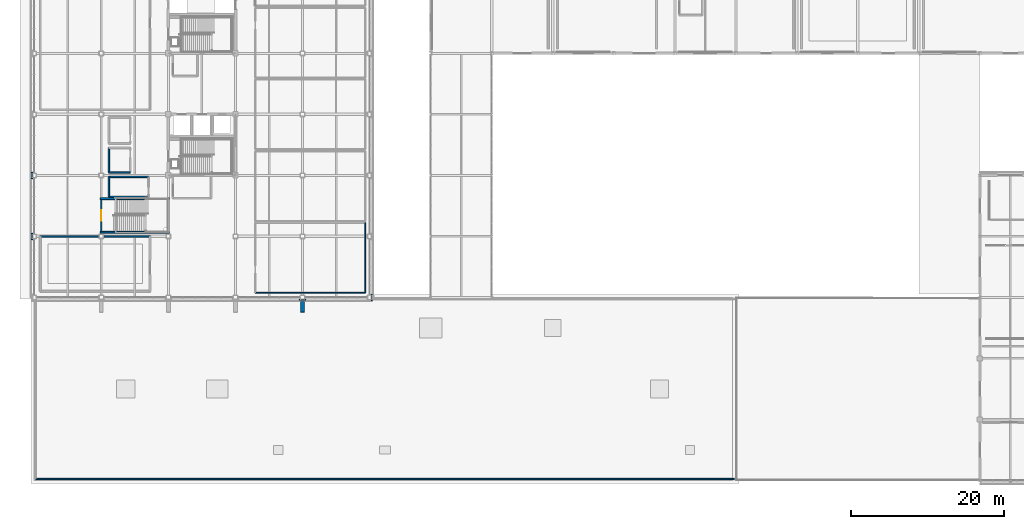
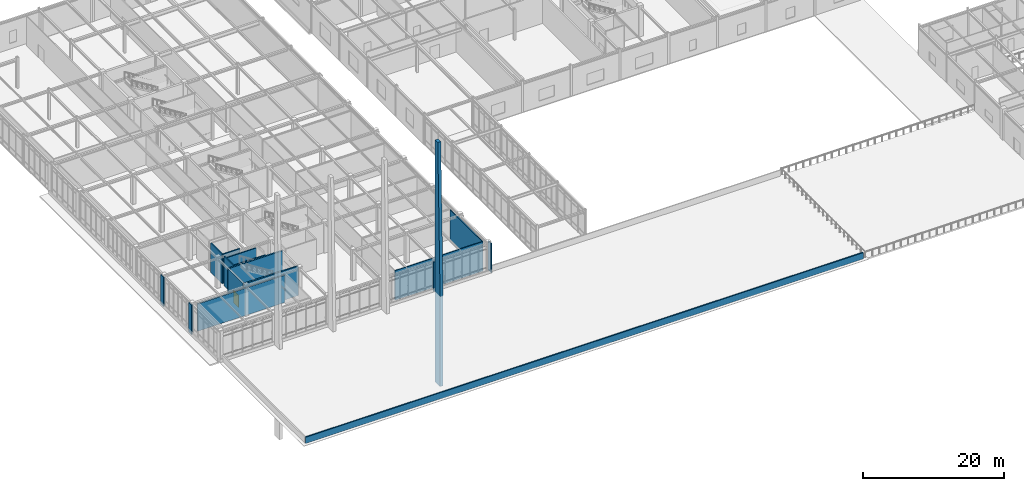
# One storey, part 86 of 108: 17 walls, 1 door, 1 opening.
"""IFC4 building model written with IfcOpenShell, lengths in metres."""

from ifc_helpers import new_model, si_unit, direction, frame, frame_2d, origin, place, context, subcontext, project, spatial, polyline, rectangle, outline, extrude, material, layer, layer_set, type_object, element, fill, save


model = new_model("IFC4")

# Units and contexts
model_context = context("Model", 3, precision=1e-05, world=origin(), true_north=direction((0.0, 1.0)))
body_context = subcontext(model_context, "Body", "Model", "MODEL_VIEW")
ifc_project = project(units=[si_unit("LENGTHUNIT", "METRE"), si_unit("AREAUNIT", "SQUARE_METRE"), si_unit("VOLUMEUNIT", "CUBIC_METRE"), si_unit("PLANEANGLEUNIT", "RADIAN"), si_unit("MASSUNIT", "GRAM", prefix="KILO")], contexts=[model_context])

# Site, building, storey
site_placement = place(None, origin())
site = spatial("IfcSite", under=ifc_project, at=site_placement, CompositionType="ELEMENT")
building_placement = place(site_placement, origin())
building = spatial("IfcBuilding", under=site, at=building_placement, Name="Zhaolan Boulevard Law Courts", CompositionType="ELEMENT")
storey_placement = place(building_placement, frame((0.0, 0.0, 10.800048828125)))
storey = spatial("IfcBuildingStorey", under=building, at=storey_placement, Name="L02", CompositionType="ELEMENT", Elevation=10.800048828125)

# Walls
ifc_material_1 = material(Name="Concrete C40", Category="concrete")
ifc_layer_1 = layer(ifc_material_1, 0.139892578125)
ifc_layer_set_1 = layer_set([ifc_layer_1])
wall_type_1 = type_object("IfcWallType", Name="EXT WALL ARCH CLAD140", PredefinedType="SOLIDWALL", material=ifc_layer_set_1)
for number, where, z_axis, x_axis, name in (
    (1, (44.280029296875, 29.580078125, 0.0), (0.0, 0.0, 1.0), (0.0, 1.0, 0.0), "Concrete Column Cloak Pier CPR-058"),
    (2, (-0.280029296875, 37.580078125, 0.0), (0.0, 0.0, 1.0), (0.0, 1.0, 0.0), "Concrete Column Cloak Pier CPR-059"),
    (3, (-0.280029296875, 45.580078125, 0.0), (0.0, 0.0, 1.0), (0.0, 1.0, 0.0), "Concrete Column Cloak Pier CPR-061"),
):
    element("IfcWall", number, at=place(storey_placement, frame(where, z_axis=z_axis, x_axis=x_axis)), inside=storey, type_object=wall_type_1, Name=name, PredefinedType="SOLIDWALL", context=body_context, shape_type="SweptSolid", body=[
        extrude(rectangle(XDim=0.83984375, YDim=0.139892578125, at=frame_2d((0.419921875, 0.0))), origin(), (0.0, 0.0, 1.0), 5.139892578125),
    ])
wall_1_placement = place(storey_placement, frame((34.780029296875, 29.719970703125, 0.0), z_axis=(0.0, 0.0, 1.0), x_axis=(1.0, 0.0, 0.0)))
element("IfcWall", 4, at=wall_1_placement, inside=storey, type_object=wall_type_1, Name="Concrete Column Cloak Pier CPR-074", PredefinedType="SOLIDWALL", context=body_context, shape_type="SweptSolid", body=[
    extrude(rectangle(XDim=0.840087890625, YDim=0.139892578125, at=frame_2d((0.419921875, 0.0))), origin(), (0.0, 0.0, 1.0), 5.139892578125),
])
ifc_material_2 = material(Name="Concrete C40", Category="concrete")
ifc_layer_2 = layer(ifc_material_2, 0.5)
ifc_layer_set_2 = layer_set([ifc_layer_2])
wall_type_2 = type_object("IfcWallType", Name="EXT WALL BUTTRESS500", PredefinedType="SOLIDWALL", material=ifc_layer_set_2)
wall_2_placement = place(storey_placement, frame((35.199951171875, 29.4599609375, -15.60009765625), z_axis=(0.0, 0.0, 1.0), x_axis=(0.0, -1.0, 0.0)))
element("IfcWall", 5, at=wall_2_placement, inside=storey, type_object=wall_type_2, Name="Sculpted South Concrete Fin SCF-224", PredefinedType="SOLIDWALL", context=body_context, shape_type="SweptSolid", body=[
    extrude(outline(polyline([(0.0, 0.0), (1.409912109375, 0.0), (1.409912109375, 15.60009765625), (0.75, 42.0), (0.0, 42.0), (0.0, 0.0)])), frame((0.0, 0.25, 0.0), z_axis=(0.0, -1.0, 0.0), x_axis=(1.0, 0.0, 0.0)), (0.0, 0.0, 1.0), 0.5),
])
ifc_material_3 = material(Name="Concrete C40", Category="concrete")
ifc_layer_3 = layer(ifc_material_3, 0.199951171875)
ifc_layer_set_3 = layer_set([ifc_layer_3])
wall_type_3 = type_object("IfcWallType", Name="PARAPET CONCRETE200", PredefinedType="PARAPET", material=ifc_layer_set_3)
wall_3_placement = place(storey_placement, frame((0.199951171875, 6.199951171875, 0.0), z_axis=(0.0, 0.0, 1.0), x_axis=(1.0, 0.0, 0.0)))
element("IfcWall", 6, at=wall_3_placement, inside=storey, type_object=wall_type_3, Name="Roof Parapet PAR-V4-S", PredefinedType="PARAPET", context=body_context, shape_type="SweptSolid", body=[
    extrude(rectangle(XDim=91.60009765625, YDim=0.199951171875, at=frame_2d((45.800048828125, 0.0))), origin(), (0.0, 0.0, 1.0), 1.099853515625),
])
ifc_material_4 = material(Name="Concrete C40", Category="concrete")
ifc_layer_4 = layer(ifc_material_4, 0.219970703125)
ifc_layer_set_4 = layer_set([ifc_layer_4])
wall_type_4 = type_object("IfcWallType", Name="PART WALL COURT220", PredefinedType="PARTITIONING", material=ifc_layer_set_4)
wall_4_placement = place(storey_placement, frame((15.199951171875, 38.0, 0.0), z_axis=(0.0, 0.0, 1.0), x_axis=(-1.0, 0.0, 0.0)))
element("IfcWall", 7, at=wall_4_placement, inside=storey, type_object=wall_type_4, Name="Interior Partition PW-L02-490", PredefinedType="PARTITIONING", context=body_context, shape_type="SweptSolid", body=[
    extrude(rectangle(XDim=14.39990234375, YDim=0.219970703125, at=frame_2d((7.199951171875, 0.0))), origin(), (0.0, 0.0, 1.0), 4.73583984375),
])
ifc_material_5 = material(Name="Fire-rated gypsum stud partition")
ifc_layer_5 = layer(ifc_material_5, 0.139892578125)
ifc_layer_set_5 = layer_set([ifc_layer_5])
wall_type_5 = type_object("IfcWallType", Name="PART WALL OFFICE140", PredefinedType="PARTITIONING", material=ifc_layer_set_5)
wall_5_placement = place(storey_placement, frame((29.0, 30.60009765625, 0.0), z_axis=(0.0, 0.0, 1.0), x_axis=(1.0, 0.0, 0.0)))
element("IfcWall", 8, at=wall_5_placement, inside=storey, type_object=wall_type_5, Name="Interior Partition PW-L02-493", PredefinedType="PARTITIONING", context=body_context, shape_type="SweptSolid", body=[
    extrude(rectangle(XDim=14.39990234375, YDim=0.139892578125, at=frame_2d((7.199951171875, 0.0))), origin(), (0.0, 0.0, 1.0), 5.119873046875),
])
wall_6_placement = place(storey_placement, frame((43.39990234375, 30.60009765625, 0.0), z_axis=(0.0, 0.0, 1.0), x_axis=(0.0, 1.0, 0.0)))
element("IfcWall", 9, at=wall_6_placement, inside=storey, type_object=wall_type_5, Name="Interior Partition PW-L02-496", PredefinedType="PARTITIONING", context=body_context, shape_type="SweptSolid", body=[
    extrude(rectangle(XDim=9.183837890625, YDim=0.139892578125, at=frame_2d((4.591796875, 0.0))), origin(), (0.0, 0.0, 1.0), 5.119873046875),
])
ifc_material_6 = material(Name="Moisture-resistant masonry chase wall", Category="masonry")
ifc_layer_6 = layer(ifc_material_6, 0.179931640625)
ifc_layer_set_6 = layer_set([ifc_layer_6])
wall_type_6 = type_object("IfcWallType", Name="PLUMB WALL 180", PredefinedType="PLUMBINGWALL", material=ifc_layer_set_6)
wall_7_placement = place(storey_placement, frame((9.800048828125, 46.39990234375, 0.0), z_axis=(0.0, 0.0, 1.0), x_axis=(1.0, 0.0, 0.0)))
element("IfcWall", 10, at=wall_7_placement, inside=storey, type_object=wall_type_6, Name="Interior Partition PW-L02-115", PredefinedType="PLUMBINGWALL", context=body_context, shape_type="SweptSolid", body=[
    extrude(rectangle(XDim=2.800048828125, YDim=0.179931640625, at=frame_2d((1.39990234375, 0.0))), origin(), (0.0, 0.0, 1.0), 5.119873046875),
])
wall_8_placement = place(storey_placement, frame((9.800048828125, 49.60009765625, 0.0), z_axis=(0.0, 0.0, 1.0), x_axis=(0.0, -1.0, 0.0)))
element("IfcWall", 11, at=wall_8_placement, inside=storey, type_object=wall_type_6, Name="Interior Partition PW-L02-117", PredefinedType="PLUMBINGWALL", context=body_context, shape_type="SweptSolid", body=[
    extrude(rectangle(XDim=3.2001953125, YDim=0.179931640625, at=frame_2d((1.60009765625, 0.0))), origin(), (0.0, 0.0, 1.0), 5.119873046875),
])
wall_9_placement = place(storey_placement, frame((9.800048828125, 43.199951171875, 0.0), z_axis=(0.0, 0.0, 1.0), x_axis=(1.0, 0.0, 0.0)))
element("IfcWall", 12, at=wall_9_placement, inside=storey, type_object=wall_type_6, Name="Interior Partition PW-L02-123", PredefinedType="PLUMBINGWALL", context=body_context, shape_type="SweptSolid", body=[
    extrude(rectangle(XDim=5.199951171875, YDim=0.179931640625, at=frame_2d((2.60009765625, 0.0))), origin(), (0.0, 0.0, 1.0), 5.119873046875),
])
wall_10_placement = place(storey_placement, frame((15.0, 45.800048828125, 0.0), z_axis=(0.0, 0.0, 1.0), x_axis=(-1.0, 0.0, 0.0)))
element("IfcWall", 13, at=wall_10_placement, inside=storey, type_object=wall_type_6, Name="Interior Partition PW-L02-124", PredefinedType="PLUMBINGWALL", context=body_context, shape_type="SweptSolid", body=[
    extrude(rectangle(XDim=5.199951171875, YDim=0.179931640625, at=frame_2d((2.60009765625, 0.0))), origin(), (0.0, 0.0, 1.0), 4.785888671875),
])
wall_11_placement = place(storey_placement, frame((9.800048828125, 45.800048828125, 0.0), z_axis=(0.0, 0.0, 1.0), x_axis=(0.0, -1.0, 0.0)))
element("IfcWall", 14, at=wall_11_placement, inside=storey, type_object=wall_type_6, Name="Interior Partition PW-L02-125", PredefinedType="PLUMBINGWALL", context=body_context, shape_type="SweptSolid", body=[
    extrude(rectangle(XDim=2.60009765625, YDim=0.179931640625, at=frame_2d((1.300048828125, 0.0))), origin(), (0.0, 0.0, 1.0), 5.119873046875),
])
ifc_material_7 = material(Name="Concrete C50", Category="concrete")
ifc_layer_7 = layer(ifc_material_7, 0.239990234375)
ifc_layer_set_7 = layer_set([ifc_layer_7])
wall_type_7 = type_object("IfcWallType", Name="STAIR WELL WALL 240", PredefinedType="SHEAR", material=ifc_layer_set_7)
for number, where, z_axis, x_axis, name in (
    (15, (8.679931640625, 38.550048828125, 0.0), (0.0, 0.0, 1.0), (1.0, 0.0, 0.0), "Stairwell Shear Wall ST03-L02S"),
    (16, (17.719970703125, 42.949951171875, 0.0), (0.0, 0.0, 1.0), (-1.0, 0.0, 0.0), "Stairwell Shear Wall ST03-L02N"),
):
    element("IfcWall", number, at=place(storey_placement, frame(where, z_axis=z_axis, x_axis=x_axis)), inside=storey, type_object=wall_type_7, Name=name, PredefinedType="SHEAR", context=body_context, shape_type="SweptSolid", body=[
        extrude(rectangle(XDim=9.0400390625, YDim=0.239990234375, at=frame_2d((4.52001953125, 0.0))), origin(), (0.0, 0.0, 1.0), 5.119873046875),
    ])

# Wall, opening, door
wall_12_placement = place(storey_placement, frame((8.800048828125, 38.669921875, 0.0), z_axis=(0.0, 0.0, 1.0), x_axis=(0.0, 1.0, 0.0)))
wall_12 = element("IfcWall", 17, at=wall_12_placement, inside=storey, type_object=wall_type_7, Name="Stairwell Shear Wall ST03-L02W", PredefinedType="SHEAR", context=body_context, shape_type="SweptSolid", body=[
    extrude(rectangle(XDim=4.16015625, YDim=0.239990234375, at=frame_2d((2.080078125, 0.0))), origin(), (0.0, 0.0, 1.0), 5.119873046875),
])
opening_placement = place(wall_12_placement, frame((1.3798828125, 0.0, 0.0)))
opening = element("IfcOpeningElement", 18, at=opening_placement, cuts=wall_12, Name="Opening SD-L02-49", PredefinedType="OPENING", context=body_context, shape_type="SweptSolid", body=[
    extrude(rectangle(XDim=1.39990234375, YDim=2.199951171875, at=frame_2d((0.699951171875, 1.10009765625))), frame((0.0, 0.1298828125, 0.0), z_axis=(0.0, -1.0, 0.0), x_axis=(1.0, 0.0, 0.0)), (0.0, 0.0, 1.0), 0.260009765625),
])
ifc_material_8 = material(Name="Fire-rated steel acoustic door", Category="steel")
door_type = type_object("IfcDoorType", Name="STAIR FIRE 1400X2200 L", OperationType="SINGLE_SWING_LEFT", PredefinedType="DOOR", material=ifc_material_8)
door_placement = place(opening_placement, origin())
door = element("IfcDoor", 19, at=door_placement, inside=storey, type_object=door_type, Name="Smoke-Proof Stairwell Fire Door SD-L02-49", OperationType="SINGLE_SWING_LEFT", OverallHeight=2.199951171875, OverallWidth=1.39990234375, PredefinedType="DOOR", context=body_context, shape_type="SweptSolid", body=[
    extrude(rectangle(XDim=1.39990234375, YDim=2.199951171875, at=frame_2d((0.699951171875, 1.10009765625))), frame((0.0, 0.02490234375, 0.0), z_axis=(0.0, -1.0, 0.0), x_axis=(1.0, 0.0, 0.0)), (0.0, 0.0, 1.0), 0.050048828125),
])
fill(opening, door)

save(model, "model.ifc")
